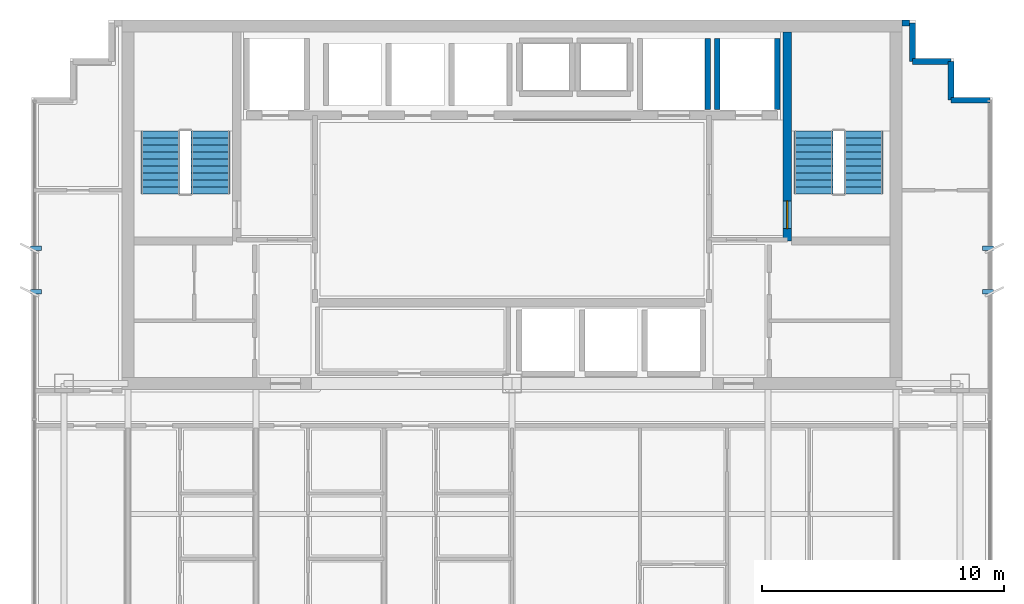
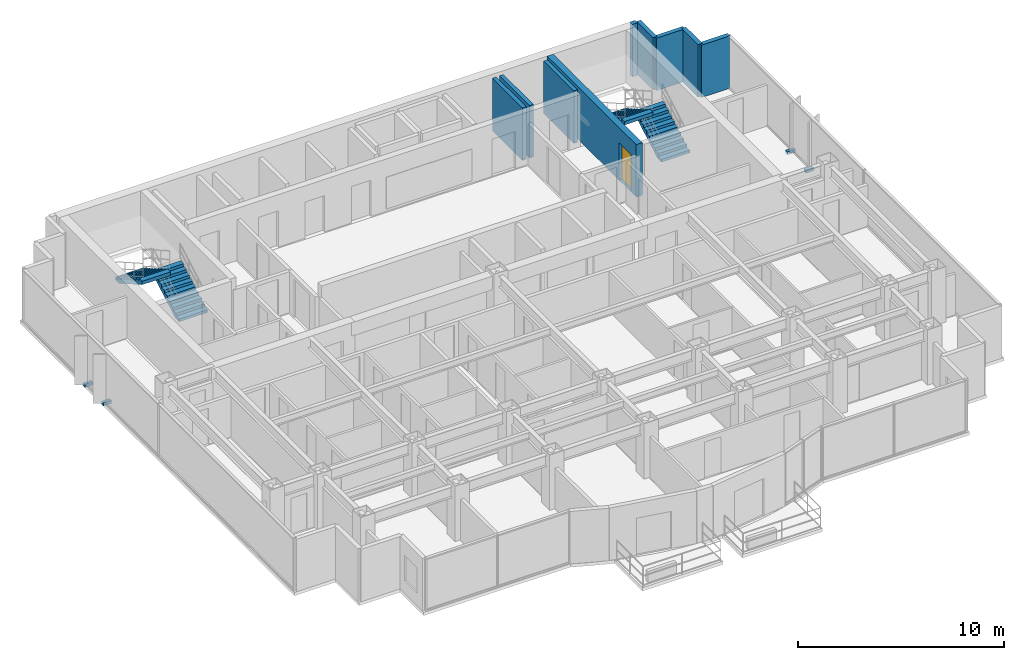
# One storey, part 10 of 12: 9 walls, 4 discrete accessories, 4 stair flights, 1 door, 1 opening, 2 elements without a shape of their own.
"""IFC4 building model written with IfcOpenShell, lengths in metres."""

from ifc_helpers import new_model, si_unit, direction, frame, frame_2d, origin, origin_2d, place, context, subcontext, project, spatial, polyline, rectangle, outline, extrude, source, transform, mapped, material, layer, layer_set, type_object, element, fill, aggregate, save


model = new_model("IFC4")

# Units and contexts
model_context = context("Model", 3, precision=1e-05, world=origin(), true_north=direction((0.0, 1.0)))
body_context = subcontext(model_context, "Body", "Model", "MODEL_VIEW")
ifc_project = project(units=[si_unit("LENGTHUNIT", "METRE"), si_unit("AREAUNIT", "SQUARE_METRE"), si_unit("VOLUMEUNIT", "CUBIC_METRE"), si_unit("PLANEANGLEUNIT", "RADIAN"), si_unit("MASSUNIT", "GRAM", prefix="KILO")], contexts=[model_context])

# Site, building, storey
site_placement = place(None, origin())
site = spatial("IfcSite", under=ifc_project, at=site_placement, CompositionType="ELEMENT")
building_placement = place(site_placement, origin())
building = spatial("IfcBuilding", under=site, at=building_placement, Name="Qianlan Lanfeng Residences", CompositionType="ELEMENT")
storey_placement = place(building_placement, frame((0.0, 0.0, 196.699951171875)))
storey = spatial("IfcBuildingStorey", under=building, at=storey_placement, Name="L53", CompositionType="ELEMENT", Elevation=196.699951171875)

# Wall, opening, door
ifc_material_1 = material(Name="Concrete C49", Category="concrete")
ifc_layer_1 = layer(ifc_material_1, 0.35009765625)
ifc_layer_set_1 = layer_set([ifc_layer_1], Name="Concrete C49")
wall_type_1 = type_object("IfcWallType", Name="CW-RC-350", PredefinedType="SHEAR", material=ifc_layer_set_1)
wall_1_placement = place(storey_placement, frame((37.89990234375, 31.10009765625, 0.0), z_axis=(0.0, 0.0, 1.0), x_axis=(0.0, 1.0, 0.0)))
wall_1 = element("IfcWall", 1, at=wall_1_placement, inside=storey, type_object=wall_type_1, Name="L53 Core Shear Wall ST2W", PredefinedType="SHEAR", context=body_context, shape_type="SweptSolid", body=[
    extrude(rectangle(XDim=8.64990234375, YDim=0.35009765625, at=frame_2d((4.324951171875, 0.0))), origin(), (0.0, 0.0, 1.0), 3.110107421875),
])
opening_placement = place(wall_1_placement, frame((0.510009765625, 0.0, 0.0)))
opening = element("IfcOpeningElement", 2, at=opening_placement, cuts=wall_1, Name="Opening L53-D08", PredefinedType="OPENING", context=body_context, shape_type="SweptSolid", body=[
    extrude(rectangle(XDim=1.14990234375, YDim=2.199951171875, at=frame_2d((0.574951171875, 1.10009765625))), frame((0.0, 0.18505859375, 0.0), z_axis=(0.0, -1.0, 0.0), x_axis=(1.0, 0.0, 0.0)), (0.0, 0.0, 1.0), 0.3701171875),
])
ifc_material_2 = material(Name="Painted Galvanised Steel Fire Door", Category="steel")
door_type = type_object("IfcDoorType", Name="DT-ST1", OperationType="NOTDEFINED", PredefinedType="DOOR", material=ifc_material_2)
door_placement = place(opening_placement, origin())
door = element("IfcDoor", 3, at=door_placement, inside=storey, type_object=door_type, Name="L53 Exit Stair ST-2 Door L53-D08 (DT-ST1)", OperationType="SINGLE_SWING_RIGHT", OverallHeight=2.199951171875, OverallWidth=1.14990234375, PredefinedType="DOOR", context=body_context, shape_type="SweptSolid", body=[
    extrude(rectangle(XDim=1.14990234375, YDim=2.199951171875, at=frame_2d((0.574951171875, 1.10009765625))), frame((0.0, 0.02490234375, 0.0), z_axis=(0.0, -1.0, 0.0), x_axis=(1.0, 0.0, 0.0)), (0.0, 0.0, 1.0), 0.050048828125),
])
fill(opening, door)

# Walls
ifc_material_3 = material(Name="Concrete C42", Category="concrete")
ifc_layer_2 = layer(ifc_material_3, 0.239990234375)
ifc_layer_set_2 = layer_set([ifc_layer_2], Name="Concrete C42")
wall_type_2 = type_object("IfcWallType", Name="EW-240", PredefinedType="SOLIDWALL", material=ifc_layer_set_2)
for number, where, z_axis, x_axis, name in (
    (4, (46.280029296875, 36.929931640625, 0.0), (0.0, 0.0, 1.0), (-1.0, 0.0, 0.0), "L53 Exterior Facade Spandrel Wall 13"),
    (5, (44.679931640625, 36.929931640625, 0.0), (0.0, 0.0, 1.0), (0.0, 1.0, 0.0), "L53 Exterior Facade Spandrel Wall 14"),
):
    element("IfcWall", number, at=place(storey_placement, frame(where, z_axis=z_axis, x_axis=x_axis)), inside=storey, type_object=wall_type_2, Name=name, PredefinedType="SOLIDWALL", context=body_context, shape_type="SweptSolid", body=[
        extrude(rectangle(XDim=1.60009765625, YDim=0.239990234375, at=frame_2d((0.800048828125, 0.0))), origin(), (0.0, 0.0, 1.0), 3.110107421875),
    ])
for number, where, z_axis, x_axis, name in (
    (6, (44.679931640625, 38.530029296875, 0.0), (0.0, 0.0, 1.0), (-1.0, 0.0, 0.0), "L53 Exterior Facade Spandrel Wall 15"),
    (7, (43.080078125, 38.530029296875, 0.0), (0.0, 0.0, 1.0), (0.0, 1.0, 0.0), "L53 Exterior Facade Spandrel Wall 16"),
):
    element("IfcWall", number, at=place(storey_placement, frame(where, z_axis=z_axis, x_axis=x_axis)), inside=storey, type_object=wall_type_2, Name=name, PredefinedType="SOLIDWALL", context=body_context, shape_type="SweptSolid", body=[
        extrude(rectangle(XDim=1.599853515625, YDim=0.239990234375, at=frame_2d((0.7998046875, 0.0))), origin(), (0.0, 0.0, 1.0), 3.110107421875),
    ])
wall_2_placement = place(storey_placement, frame((42.949951171875, 40.1298828125, 0.0), z_axis=(0.0, 0.0, 1.0), x_axis=(-1.0, 0.0, 0.0)))
element("IfcWall", 8, at=wall_2_placement, inside=storey, type_object=wall_type_2, Name="L53 North Wing Exterior Wall E", PredefinedType="SOLIDWALL", context=body_context, shape_type="SweptSolid", body=[
    extrude(rectangle(XDim=0.300048828125, YDim=0.239990234375, at=frame_2d((0.14990234375, 0.0))), origin(), (0.0, 0.0, 1.0), 3.110107421875),
])
ifc_layer_3 = layer(ifc_material_1, 0.219970703125)
ifc_layer_set_3 = layer_set([ifc_layer_3], Name="Concrete C49")
wall_type_3 = type_object("IfcWallType", Name="SHW-220", PredefinedType="SOLIDWALL", material=ifc_layer_set_3)
for number, where, z_axis, x_axis, name in (
    (9, (35.0, 36.550048828125, 0.0), (0.0, 0.0, 1.0), (0.0, 1.0, 0.0), "L53 Lift FFL-2 Shaft Wall W"),
    (10, (37.47998046875, 36.550048828125, 0.0), (0.0, 0.0, 1.0), (0.0, 1.0, 0.0), "L53 Lift FFL-2 Shaft Wall E"),
    (11, (34.60009765625, 36.550048828125, 0.0), (0.0, 0.0, 1.0), (0.0, 1.0, 0.0), "L53 Lift SVL-1 Shaft Wall E"),
):
    element("IfcWall", number, at=place(storey_placement, frame(where, z_axis=z_axis, x_axis=x_axis)), inside=storey, type_object=wall_type_3, Name=name, PredefinedType="SOLIDWALL", context=body_context, shape_type="SweptSolid", body=[
        extrude(rectangle(XDim=2.929931640625, YDim=0.219970703125, at=frame_2d((1.46484375, 0.0))), origin(), (0.0, 0.0, 1.0), 3.110107421875),
    ])

# Stair, stair flights
stair_type = type_object("IfcStairType", Name="STR-MAIN", PredefinedType="HALF_TURN_STAIR", material=ifc_material_3)
stair_1_placement = place(storey_placement, origin())
stair_1 = element("IfcStair", 12, at=stair_1_placement, inside=storey, type_object=stair_type, Name="L53 Exit Stair ST-1", PredefinedType="HALF_TURN_STAIR")
stair_flight_type = type_object("IfcStairFlightType", Name="FLT-1720", PredefinedType="STRAIGHT", material=ifc_material_3)
stair_flight_1_placement = place(storey_placement, frame((14.02001953125, 33.050048828125, 0.0), z_axis=(0.0, 0.0, 1.0), x_axis=(0.0, 1.0, 0.0)))
stair_flight_1 = element("IfcStairFlight", 13, at=stair_flight_1_placement, type_object=stair_flight_type, Name="ST-1 flight 1", NumberOfRisers=10, NumberOfTreads=9, PredefinedType="STRAIGHT", RiserHeight=0.165, TreadLength=0.29, context=body_context, shape_type="SweptSolid", body=[
    extrude(outline(polyline([(0.0, 0.0), (0.0, 0.1650390625), (0.2900390625, 0.1650390625), (0.2900390625, 0.330078125), (0.580078125, 0.330078125), (0.580078125, 0.4951171875), (0.8701171875, 0.4951171875), (0.8701171875, 0.659912109375), (1.159912109375, 0.659912109375), (1.159912109375, 0.824951171875), (1.449951171875, 0.824951171875), (1.449951171875, 0.989990234375), (1.739990234375, 0.989990234375), (1.739990234375, 1.155029296875), (2.030029296875, 1.155029296875), (2.030029296875, 1.320068359375), (2.320068359375, 1.320068359375), (2.320068359375, 1.485107421875), (2.610107421875, 1.485107421875), (2.610107421875, 1.64990234375), (2.610107421875, 1.278076171875), (0.36376953125, 0.0), (0.0, 0.0)])), frame((0.0, 0.800048828125, 0.0), z_axis=(0.0, -1.0, 0.0), x_axis=(1.0, 0.0, 0.0)), (0.0, 0.0, 1.0), 1.60009765625),
])
stair_flight_2_placement = place(storey_placement, frame((11.93994140625, 35.659912109375, 1.650146484375), z_axis=(0.0, 0.0, 1.0), x_axis=(0.0, -1.0, 0.0)))
stair_flight_2 = element("IfcStairFlight", 14, at=stair_flight_2_placement, type_object=stair_flight_type, Name="ST-1 flight 2", NumberOfRisers=10, NumberOfTreads=9, PredefinedType="STRAIGHT", RiserHeight=0.165, TreadLength=0.29, context=body_context, shape_type="SweptSolid", body=[
    extrude(outline(polyline([(0.0, 0.0), (0.0, 0.1650390625), (0.2900390625, 0.1650390625), (0.2900390625, 0.330078125), (0.580078125, 0.330078125), (0.580078125, 0.4951171875), (0.8701171875, 0.4951171875), (0.8701171875, 0.659912109375), (1.159912109375, 0.659912109375), (1.159912109375, 0.824951171875), (1.449951171875, 0.824951171875), (1.449951171875, 0.989990234375), (1.739990234375, 0.989990234375), (1.739990234375, 1.155029296875), (2.030029296875, 1.155029296875), (2.030029296875, 1.320068359375), (2.320068359375, 1.320068359375), (2.320068359375, 1.485107421875), (2.610107421875, 1.485107421875), (2.610107421875, 1.64990234375), (2.610107421875, 1.278076171875), (0.36376953125, 0.0), (0.0, 0.0)])), frame((0.0, 0.800048828125, 0.0), z_axis=(0.0, -1.0, 0.0), x_axis=(1.0, 0.0, 0.0)), (0.0, 0.0, 1.0), 1.60009765625),
])
aggregate(stair_1, [stair_flight_1, stair_flight_2])

stair_2_placement = place(storey_placement, origin())
stair_2 = element("IfcStair", 15, at=stair_2_placement, inside=storey, type_object=stair_type, Name="L53 Exit Stair ST-2", PredefinedType="HALF_TURN_STAIR")
stair_flight_3_placement = place(storey_placement, frame((41.06005859375, 33.050048828125, 0.0), z_axis=(0.0, 0.0, 1.0), x_axis=(0.0, 1.0, 0.0)))
stair_flight_3 = element("IfcStairFlight", 16, at=stair_flight_3_placement, type_object=stair_flight_type, Name="ST-2 flight 1", NumberOfRisers=10, NumberOfTreads=9, PredefinedType="STRAIGHT", RiserHeight=0.165, TreadLength=0.29, context=body_context, shape_type="SweptSolid", body=[
    extrude(outline(polyline([(0.0, 0.0), (0.0, 0.1650390625), (0.2900390625, 0.1650390625), (0.2900390625, 0.330078125), (0.580078125, 0.330078125), (0.580078125, 0.4951171875), (0.8701171875, 0.4951171875), (0.8701171875, 0.659912109375), (1.159912109375, 0.659912109375), (1.159912109375, 0.824951171875), (1.449951171875, 0.824951171875), (1.449951171875, 0.989990234375), (1.739990234375, 0.989990234375), (1.739990234375, 1.155029296875), (2.030029296875, 1.155029296875), (2.030029296875, 1.320068359375), (2.320068359375, 1.320068359375), (2.320068359375, 1.485107421875), (2.610107421875, 1.485107421875), (2.610107421875, 1.64990234375), (2.610107421875, 1.278076171875), (0.36376953125, 0.0), (0.0, 0.0)])), frame((0.0, 0.800048828125, 0.0), z_axis=(0.0, -1.0, 0.0), x_axis=(1.0, 0.0, 0.0)), (0.0, 0.0, 1.0), 1.60009765625),
])
stair_flight_4_placement = place(storey_placement, frame((38.97998046875, 35.659912109375, 1.650146484375), z_axis=(0.0, 0.0, 1.0), x_axis=(0.0, -1.0, 0.0)))
stair_flight_4 = element("IfcStairFlight", 17, at=stair_flight_4_placement, type_object=stair_flight_type, Name="ST-2 flight 2", NumberOfRisers=10, NumberOfTreads=9, PredefinedType="STRAIGHT", RiserHeight=0.165, TreadLength=0.29, context=body_context, shape_type="SweptSolid", body=[
    extrude(outline(polyline([(0.0, 0.0), (0.0, 0.1650390625), (0.2900390625, 0.1650390625), (0.2900390625, 0.330078125), (0.580078125, 0.330078125), (0.580078125, 0.4951171875), (0.8701171875, 0.4951171875), (0.8701171875, 0.659912109375), (1.159912109375, 0.659912109375), (1.159912109375, 0.824951171875), (1.449951171875, 0.824951171875), (1.449951171875, 0.989990234375), (1.739990234375, 0.989990234375), (1.739990234375, 1.155029296875), (2.030029296875, 1.155029296875), (2.030029296875, 1.320068359375), (2.320068359375, 1.320068359375), (2.320068359375, 1.485107421875), (2.610107421875, 1.485107421875), (2.610107421875, 1.64990234375), (2.610107421875, 1.278076171875), (0.36376953125, 0.0), (0.0, 0.0)])), frame((0.0, 0.800048828125, 0.0), z_axis=(0.0, -1.0, 0.0), x_axis=(1.0, 0.0, 0.0)), (0.0, 0.0, 1.0), 1.60009765625),
])
aggregate(stair_2, [stair_flight_3, stair_flight_4])

# Discrete accessories
ifc_material_4 = material(Name="Stainless Steel Facade Bracket", Category="steel")
discrete_accessory_type = type_object("IfcDiscreteAccessoryType", Name="BRK-SS-350", PredefinedType="BRACKET", material=ifc_material_4)
shared_shape = source(origin(), body_context, "Body", "SweptSolid", [
    extrude(rectangle(XDim=0.449951171875, YDim=0.179931640625, at=origin_2d()), origin(), (0.0, 0.0, 1.0), 0.179931640625),
])
for number, where, z_axis, x_axis, name in (
    (18, (6.800048828125, 29.0, -0.14990234375), (0.0, 0.0, 1.0), (1.0, 0.0, 0.0), "L53 Raked Solar Fin Support Bracket W1"),
    (19, (6.800048828125, 30.800048828125, -0.14990234375), (0.0, 0.0, 1.0), (1.0, 0.0, 0.0), "L53 Raked Solar Fin Support Bracket W2"),
    (20, (46.199951171875, 29.0, -0.14990234375), (0.0, 0.0, 1.0), (1.0, 0.0, 0.0), "L53 Raked Solar Fin Support Bracket E1"),
    (21, (46.199951171875, 30.800048828125, -0.14990234375), (0.0, 0.0, 1.0), (1.0, 0.0, 0.0), "L53 Raked Solar Fin Support Bracket E2"),
):
    element("IfcDiscreteAccessory", number, at=place(storey_placement, frame(where, z_axis=z_axis, x_axis=x_axis)), inside=storey, type_object=discrete_accessory_type, Name=name, PredefinedType="BRACKET", context=body_context, shape_type="MappedRepresentation", body=[
        mapped(shared_shape, transform((0.0, 0.0, 0.0), scale=1.0)),
    ])

save(model, "model.ifc")
